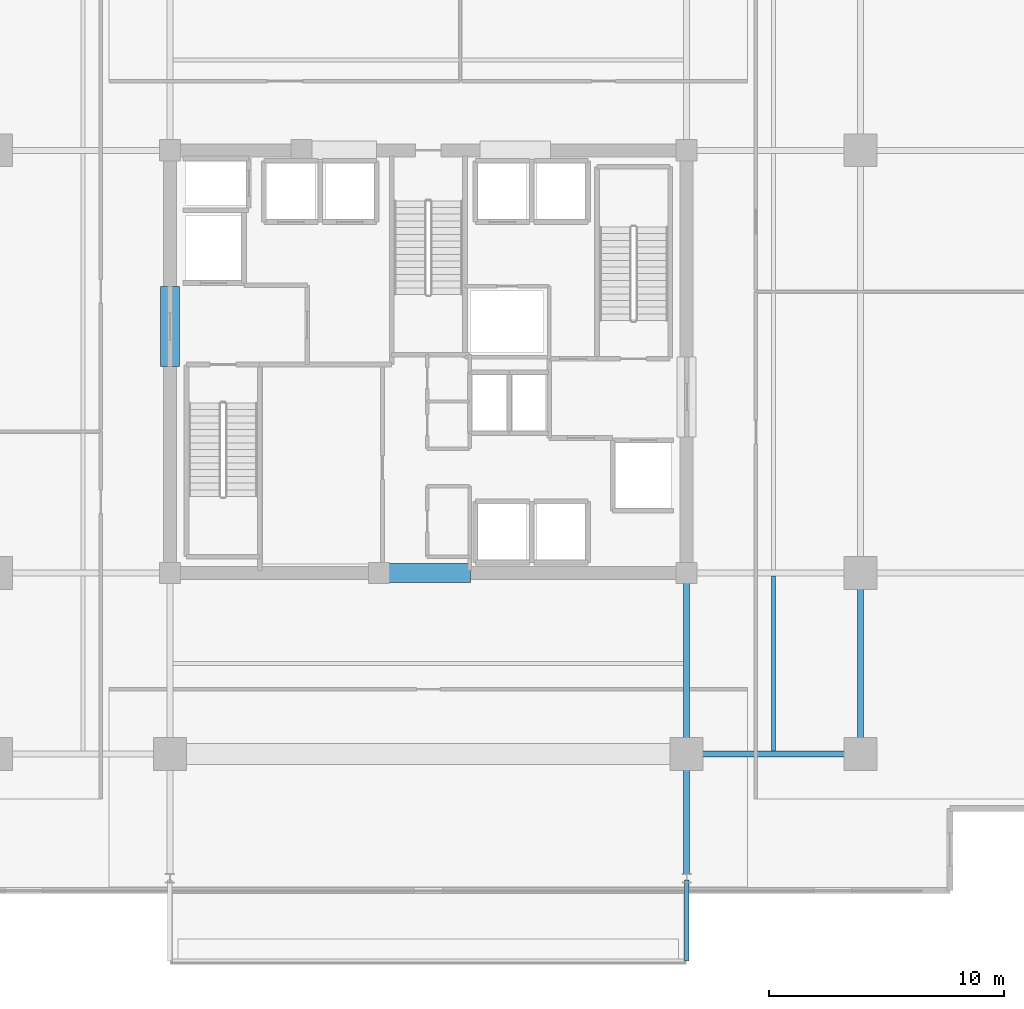
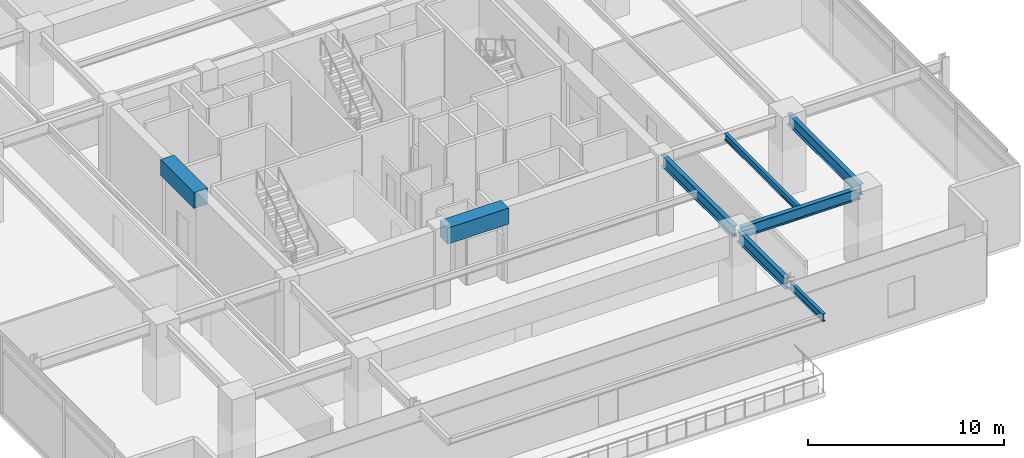
# One storey, part 6 of 21: 8 beams.
"""IFC4 building model written with IfcOpenShell, lengths in metres."""

from ifc_helpers import new_model, si_unit, direction, frame, origin, origin_2d, place, context, subcontext, project, spatial, rectangle, i_section, extrude, material, material_profile, profile_set, type_object, element, save


model = new_model("IFC4")

# Units and contexts
model_context = context("Model", 3, precision=1e-05, world=origin(), true_north=direction((0.0, 1.0)))
body_context = subcontext(model_context, "Body", "Model", "MODEL_VIEW")
ifc_project = project(units=[si_unit("LENGTHUNIT", "METRE"), si_unit("AREAUNIT", "SQUARE_METRE"), si_unit("VOLUMEUNIT", "CUBIC_METRE"), si_unit("PLANEANGLEUNIT", "RADIAN"), si_unit("MASSUNIT", "GRAM", prefix="KILO")], contexts=[model_context])

# Site, building, storey
site_placement = place(None, origin())
site = spatial("IfcSite", under=ifc_project, at=site_placement, CompositionType="ELEMENT")
building_placement = place(site_placement, origin())
building = spatial("IfcBuilding", under=site, at=building_placement, Name="Kovane Verandah Tower", CompositionType="ELEMENT")
storey_placement = place(building_placement, frame((0.0, 0.0, 238.199951171875)))
storey = spatial("IfcBuildingStorey", under=building, at=storey_placement, Name="L55", CompositionType="ELEMENT", Elevation=238.199951171875)

# Beams
ifc_material_1 = material(Name="Concrete C60/75", Category="concrete")
ifc_material_profile_1 = material_profile(ifc_material_1, rectangle(XDim=0.800048828125, YDim=1.0, at=origin_2d()), Name="RCB800x1000")
ifc_profile_set_1 = profile_set([ifc_material_profile_1], Name="Concrete C60/75")
beam_type_1 = type_object("IfcBeamType", Name="BM-LINTEL-800x1000", PredefinedType="LINTEL", material=ifc_profile_set_1)
beam_1_placement = place(storey_placement, frame((38.199951171875, 18.5, 4.28515625), z_axis=(1.0, 0.0, 0.0), x_axis=(0.0, 1.0, 0.0)))
element("IfcBeam", 1, at=beam_1_placement, inside=storey, type_object=beam_type_1, Name="L55 Core Coupling Lintel CL-S", PredefinedType="LINTEL", context=body_context, shape_type="SweptSolid", body=[
    extrude(rectangle(XDim=0.800048828125, YDim=1.0, at=origin_2d()), origin(), (0.0, 0.0, 1.0), 3.60009765625),
])
beam_2_placement = place(storey_placement, frame((29.0, 27.300048828125, 4.28515625), z_axis=(0.0, 1.0, 0.0), x_axis=(-1.0, 0.0, 0.0)))
element("IfcBeam", 2, at=beam_2_placement, inside=storey, type_object=beam_type_1, Name="L55 Core Coupling Lintel CL-W", PredefinedType="LINTEL", context=body_context, shape_type="SweptSolid", body=[
    extrude(rectangle(XDim=0.800048828125, YDim=1.0, at=origin_2d()), origin(), (0.0, 0.0, 1.0), 3.39990234375),
])
ifc_material_2 = material(Name="Steel S355", Category="steel")
ifc_material_profile_2 = material_profile(ifc_material_2, i_section(OverallWidth=0.255859375, OverallDepth=0.69287109375, WebThickness=0.014404296875, FlangeThickness=0.023681640625, FilletRadius=0.01513671875, at=origin_2d()), Name="UB686x254x170")
ifc_profile_set_2 = profile_set([ifc_material_profile_2], Name="Steel S355")
beam_type_2 = type_object("IfcBeamType", Name="BM-UB686x170", PredefinedType="BEAM", material=ifc_profile_set_2)
beam_3_placement = place(storey_placement, frame((51.179931640625, 10.800048828125, 4.438720703125), z_axis=(1.0, 0.0, 0.0), x_axis=(0.0, 1.0, 0.0)))
element("IfcBeam", 3, at=beam_3_placement, inside=storey, type_object=beam_type_2, Name="L55 Primary Tower Girder G-RS3", PredefinedType="BEAM", context=body_context, shape_type="SweptSolid", body=[
    extrude(i_section(OverallWidth=0.255859375, OverallDepth=0.69287109375, WebThickness=0.014404296875, FlangeThickness=0.023681640625, FilletRadius=0.01513671875, at=origin_2d()), origin(), (0.0, 0.0, 1.0), 7.0400390625),
])
for number, where, z_axis, x_axis, name in (
    (4, (58.39990234375, 10.97998046875, 4.438720703125), (0.0, 1.0, 0.0), (-1.0, 0.0, 0.0), "L55 Primary Tower Girder G-RE1"),
    (5, (51.0, 18.320068359375, 4.438720703125), (0.0, -1.0, 0.0), (1.0, 0.0, 0.0), "L55 Primary Tower Girder G-S2"),
):
    element("IfcBeam", number, at=place(storey_placement, frame(where, z_axis=z_axis, x_axis=x_axis)), inside=storey, type_object=beam_type_2, Name=name, PredefinedType="BEAM", context=body_context, shape_type="SweptSolid", body=[
        extrude(i_section(OverallWidth=0.255859375, OverallDepth=0.69287109375, WebThickness=0.014404296875, FlangeThickness=0.023681640625, FilletRadius=0.01513671875, at=origin_2d()), origin(), (0.0, 0.0, 1.0), 7.340087890625),
    ])
beam_4_placement = place(storey_placement, frame((51.0, 10.6201171875, 4.41357421875), z_axis=(0.0, -1.0, 0.0), x_axis=(1.0, 0.0, 0.0)))
element("IfcBeam", 6, at=beam_4_placement, inside=storey, type_object=beam_type_2, Name="L55 Primary Tower Girder G-VS2", PredefinedType="BEAM", context=body_context, shape_type="SweptSolid", body=[
    extrude(i_section(OverallWidth=0.255859375, OverallDepth=0.69287109375, WebThickness=0.014404296875, FlangeThickness=0.023681640625, FilletRadius=0.01513671875, at=origin_2d()), origin(), (0.0, 0.0, 1.0), 4.940185546875),
])
ifc_material_profile_3 = material_profile(ifc_material_2, i_section(OverallWidth=0.179443359375, OverallDepth=0.412841796875, WebThickness=0.009521484375, FlangeThickness=0.01611328125, FilletRadius=0.01025390625, at=origin_2d()), Name="UB406x178x74")
ifc_profile_set_3 = profile_set([ifc_material_profile_3], Name="Steel S355")
beam_type_3 = type_object("IfcBeamType", Name="JST-UB406x74", PredefinedType="JOIST", material=ifc_profile_set_3)
beam_5_placement = place(storey_placement, frame((54.699951171875, 10.92578125, 4.57861328125), z_axis=(0.0, 1.0, 0.0), x_axis=(-1.0, 0.0, 0.0)))
element("IfcBeam", 7, at=beam_5_placement, inside=storey, type_object=beam_type_3, Name="L55 Secondary Composite Joist J-SE1", PredefinedType="JOIST", context=body_context, shape_type="SweptSolid", body=[
    extrude(i_section(OverallWidth=0.179443359375, OverallDepth=0.412841796875, WebThickness=0.009521484375, FlangeThickness=0.01611328125, FilletRadius=0.01025390625, at=origin_2d()), origin(), (0.0, 0.0, 1.0), 7.4482421875),
])
ifc_material_profile_4 = material_profile(ifc_material_2, i_section(OverallWidth=0.19287109375, OverallDepth=0.46728515625, WebThickness=0.011474609375, FlangeThickness=0.01953125, FilletRadius=0.01025390625, at=origin_2d()), Name="UB457x191x98")
ifc_profile_set_4 = profile_set([ifc_material_profile_4], Name="Steel S355")
beam_type_4 = type_object("IfcBeamType", Name="JST-UB457x98", PredefinedType="JOIST", material=ifc_profile_set_4)
beam_6_placement = place(storey_placement, frame((51.0, 5.419921875, 4.5263671875), z_axis=(0.0, -1.0, 0.0), x_axis=(1.0, 0.0, 0.0)))
element("IfcBeam", 8, at=beam_6_placement, inside=storey, type_object=beam_type_4, Name="L55 South Planter Girder 2", PredefinedType="JOIST", context=body_context, shape_type="SweptSolid", body=[
    extrude(i_section(OverallWidth=0.19287109375, OverallDepth=0.46728515625, WebThickness=0.011474609375, FlangeThickness=0.01953125, FilletRadius=0.01025390625, at=origin_2d()), origin(), (0.0, 0.0, 1.0), 3.449951171875),
])

save(model, "model.ifc")
